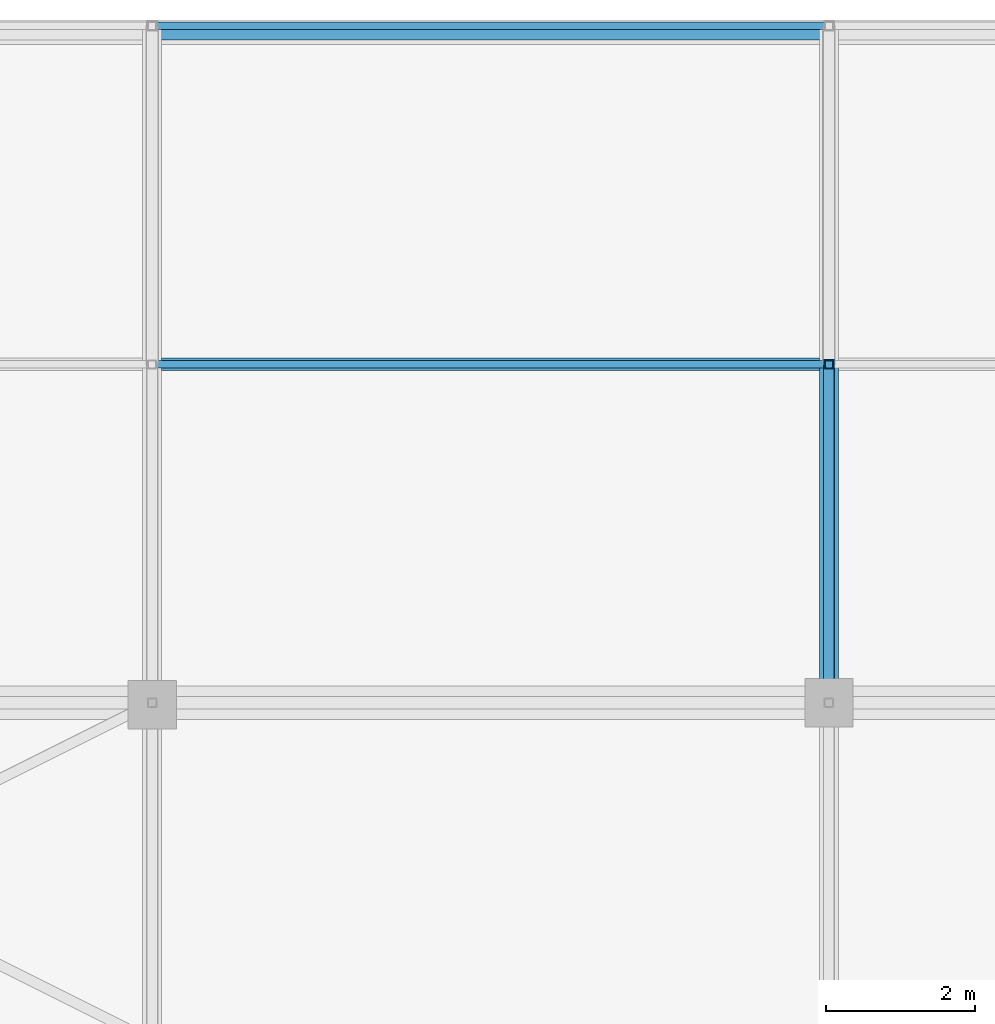
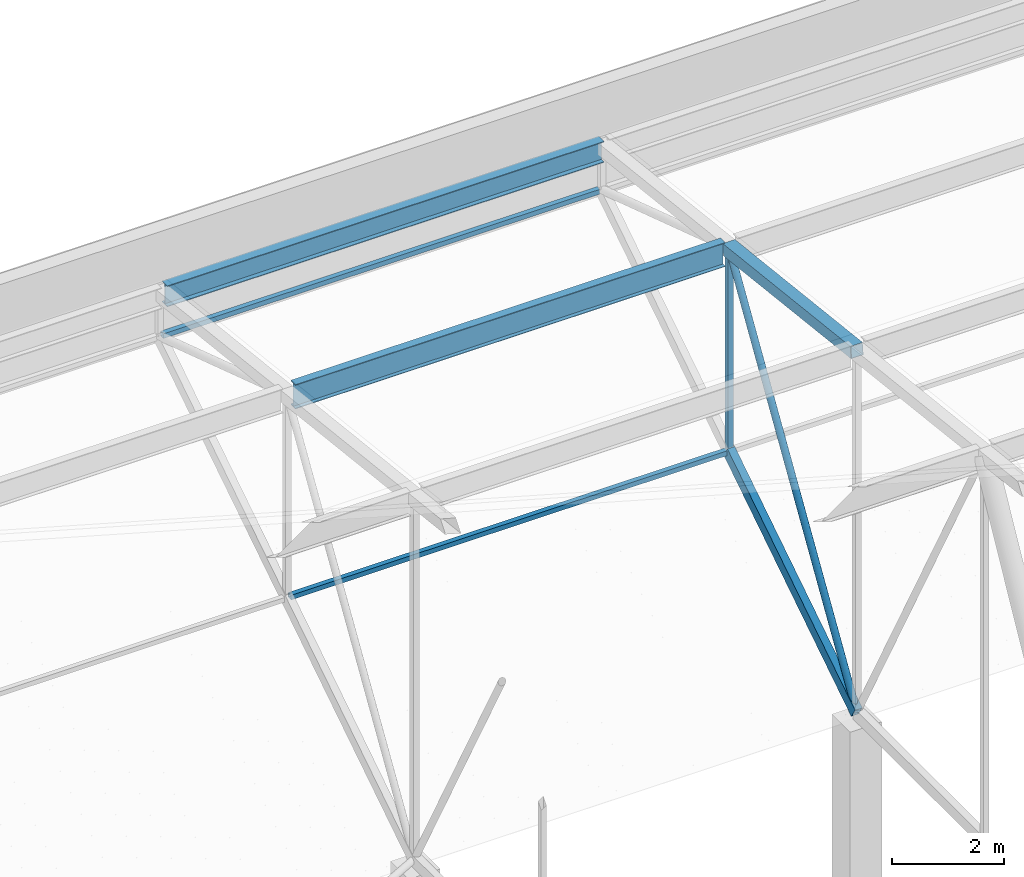
# One storey, part 305 of 500: 8 members.
"""IFC4 building model written with IfcOpenShell, lengths in metres."""

import ifcopenshell
import ifcopenshell.guid

model = None  # the IFC model being written
_history = None  # IfcOwnerHistory: only IFC2X3 demands one
_inside = {}  # id of a spatial element -> (the spatial element, [elements in it])
_under = {}  # id of a project, library or spatial element -> (it, [spatial elements below it])
_declared = {}  # id of a project -> (the project, [libraries it declares])
_typed = {}  # id of a type object -> (the type object, [elements of that type])
_made_of = {}  # id of a material, layer set ... -> (it, [elements and type objects made of it])


def new_model(schema):
    """Start an empty IFC model of exactly this schema.

    Asked for "IFC4X3", IfcOpenShell would pick the latest addendum, in which some entities
    have other attributes; the version numbers below select the first issue.
    IFC2X3 requires an IfcOwnerHistory on every rooted entity: one is made here for all.
    """
    global model, _history
    if schema == "IFC4X3":
        model = ifcopenshell.file(schema_version=(4, 3, 0, 0))
    else:
        model = ifcopenshell.file(schema=schema)
    _inside.clear()
    _under.clear()
    _declared.clear()
    _typed.clear()
    _made_of.clear()
    _history = None
    if model.schema == "IFC2X3":
        org = make("IfcOrganization", Name="unknown")
        user = make(
            "IfcPersonAndOrganization",
            ThePerson=make("IfcPerson", FamilyName="unknown"),
            TheOrganization=org,
        )
        app = make(
            "IfcApplication",
            ApplicationDeveloper=org,
            Version="unknown",
            ApplicationFullName="unknown",
            ApplicationIdentifier="unknown",
        )
        _history = make(
            "IfcOwnerHistory",
            OwningUser=user,
            OwningApplication=app,
            ChangeAction="ADDED",
            CreationDate=0,
        )
    return model


def make(cls, **values):
    """One entity of the class cls with the attributes given. An attribute that is None is left unset."""
    return model.create_entity(
        cls, **{name: value for name, value in values.items() if value is not None}
    )


def rooted(cls, **values):
    """An entity with a GlobalId (a new one), such as an element, a storey or a relation."""
    return make(cls, GlobalId=ifcopenshell.guid.new(), OwnerHistory=_history, **values)


def si_unit(unit_type, name, prefix=None):
    """IfcSIUnit, for example si_unit("LENGTHUNIT", "METRE", prefix="MILLI")."""
    return make("IfcSIUnit", UnitType=unit_type, Prefix=prefix, Name=name)


def assignment(units):
    """IfcUnitAssignment: the units of a project."""
    return None if units is None else make("IfcUnitAssignment", Units=units)


def point(xyz):
    """IfcCartesianPoint."""
    return None if xyz is None else make("IfcCartesianPoint", Coordinates=xyz)


def direction(xyz):
    """IfcDirection."""
    return None if xyz is None else make("IfcDirection", DirectionRatios=xyz)


def frame(location, z_axis=None, x_axis=None):
    """IfcAxis2Placement3D, a coordinate frame: its origin and axes. An axis left out is left unset."""
    return make(
        "IfcAxis2Placement3D",
        Location=point(location),
        Axis=direction(z_axis),
        RefDirection=direction(x_axis),
    )


def frame_2d(location, x_axis=None):
    """IfcAxis2Placement2D, a coordinate frame in the plane: its origin and x axis."""
    return make(
        "IfcAxis2Placement2D", Location=point(location), RefDirection=direction(x_axis)
    )


def origin():
    """The frame at (0, 0, 0) with its axes left unset."""
    return frame((0.0, 0.0, 0.0))


def origin_2d():
    """The frame at (0, 0) in the plane with its x axis left unset."""
    return frame_2d((0.0, 0.0))


def place(relative_to, where):
    """IfcLocalPlacement: puts the frame where relative to a parent placement (None: the world)."""
    return make(
        "IfcLocalPlacement", PlacementRelTo=relative_to, RelativePlacement=where
    )


def context(
    kind, dimensions, precision=None, world=None, true_north=None, identifier=None
):
    """IfcGeometricRepresentationContext, for example the 3D "Model" context."""
    return make(
        "IfcGeometricRepresentationContext",
        ContextIdentifier=identifier,
        ContextType=kind,
        CoordinateSpaceDimension=dimensions,
        Precision=precision,
        WorldCoordinateSystem=world,
        TrueNorth=true_north,
    )


def subcontext(parent, identifier, kind, view, scale=None):
    """IfcGeometricRepresentationSubContext, for example "Body" below "Model"."""
    return make(
        "IfcGeometricRepresentationSubContext",
        ContextIdentifier=identifier,
        ContextType=kind,
        ParentContext=parent,
        TargetScale=scale,
        TargetView=view,
    )


def project(units=None, contexts=None):
    """IfcProject with its units and contexts."""
    return rooted(
        "IfcProject",
        Name="project",
        RepresentationContexts=contexts,
        UnitsInContext=assignment(units),
    )


def spatial(cls, under=None, at=None, **own):
    """A site, building, storey or space (cls), placed at a placement, below another one or the project."""
    s = rooted(cls, ObjectPlacement=at, **own)
    if under is not None:
        _under.setdefault(under.id(), (under, []))[1].append(s)
    return s


def profile(cls, at=None, kind="AREA", **sizes):
    """A parametric profile (cls). Its sizes go by their IFC names, for example OverallWidth=200.0."""
    return make(cls, ProfileType=kind, Position=at, **sizes)


def hollow_rectangle(**sizes):
    """IfcRectangleHollowProfileDef."""
    return profile("IfcRectangleHollowProfileDef", **sizes)


def hollow_circle(**sizes):
    """IfcCircleHollowProfileDef."""
    return profile("IfcCircleHollowProfileDef", **sizes)


def i_section(**sizes):
    """IfcIShapeProfileDef."""
    return profile("IfcIShapeProfileDef", **sizes)


def extrude(swept, where, along, depth):
    """IfcExtrudedAreaSolid: the profile swept, set in the frame where, extruded along a direction by depth."""
    return make(
        "IfcExtrudedAreaSolid",
        SweptArea=swept,
        Position=where,
        ExtrudedDirection=direction(along),
        Depth=depth,
    )


def shape(context_of_items, identifier, shape_type, items):
    """IfcShapeRepresentation: the items that make up one representation, for example the "Body"."""
    return make(
        "IfcShapeRepresentation",
        ContextOfItems=context_of_items,
        RepresentationIdentifier=identifier,
        RepresentationType=shape_type,
        Items=items,
    )


def material(Name=None, Category=None):
    """IfcMaterial."""
    return make("IfcMaterial", Name=Name, Category=Category)


def material_profile(
    of_material, cross_section, Name=None, Category=None, Priority=None
):
    """IfcMaterialProfile: a cross section and its material."""
    return make(
        "IfcMaterialProfile",
        Name=Name,
        Material=of_material,
        Profile=cross_section,
        Priority=Priority,
        Category=Category,
    )


def profile_set(profiles, Name=None, composite=None):
    """IfcMaterialProfileSet."""
    return make(
        "IfcMaterialProfileSet",
        Name=Name,
        MaterialProfiles=profiles,
        CompositeProfile=composite,
    )


def made_of(thing, what):
    """Note that an element or type object is made of a material, layer set ...; save() writes the relation."""
    if what is not None:
        _made_of.setdefault(what.id(), (what, []))[1].append(thing)
    return thing


def type_object(cls, material=None, **own):
    """A type object (cls), such as IfcWallType, which elements share."""
    return made_of(rooted(cls, **own), material)


def element(
    cls,
    number,
    at=None,
    inside=None,
    cuts=None,
    type_object=None,
    material=None,
    context=None,
    identifier="Body",
    shape_type=None,
    held_by="IfcProductDefinitionShape",
    body=None,
    shapes=None,
    **own,
):
    """One element of the class cls, such as IfcWall. Its Tag is "e" and its number.

    at: its placement. inside: the storey or other place that contains it. cuts: it is an
    opening in that element (IfcRelVoidsElement). A single representation is given by context,
    identifier, shape_type and body (its items); several are given by shapes. held_by: the class
    of the entity that holds the representations. save() writes the other relations.
    """
    e = rooted(cls, Tag="e%d" % number, ObjectPlacement=at, **own)
    if body is not None:
        shapes = [shape(context, identifier, shape_type, body)]
    if shapes is not None:
        e.Representation = make(held_by, Representations=shapes)
    if inside is not None:
        _inside.setdefault(inside.id(), (inside, []))[1].append(e)
    if cuts is not None:
        rooted(
            "IfcRelVoidsElement", RelatingBuildingElement=cuts, RelatedOpeningElement=e
        )
    if type_object is not None:
        _typed.setdefault(type_object.id(), (type_object, []))[1].append(e)
    return made_of(e, material)


def aggregate(whole, parts):
    """IfcRelAggregates: a whole, such as a stair, and the parts it consists of."""
    return rooted("IfcRelAggregates", RelatingObject=whole, RelatedObjects=parts)


def save(model, path):
    """Write the relations noted so far, then the file.

    IfcRelAggregates (storeys below a building ...), IfcRelContainedInSpatialStructure (elements
    in a storey), IfcRelDefinesByType, IfcRelAssociatesMaterial and IfcRelDeclares: one each for
    every whole, place, type object, material and project.
    """
    for whole, parts in _under.values():
        aggregate(whole, parts)
    for where, things in _inside.values():
        rooted(
            "IfcRelContainedInSpatialStructure",
            RelatedElements=things,
            RelatingStructure=where,
        )
    for kind, things in _typed.values():
        rooted("IfcRelDefinesByType", RelatedObjects=things, RelatingType=kind)
    for what, things in _made_of.values():
        rooted("IfcRelAssociatesMaterial", RelatedObjects=things, RelatingMaterial=what)
    for by, libraries in _declared.values():
        rooted("IfcRelDeclares", RelatingContext=by, RelatedDefinitions=libraries)
    model.write(path)


model = new_model("IFC4")

# Units and contexts
model_context = context("Model", 3, precision=1e-05, world=origin(), true_north=direction((0.0, 1.0)))
body_context = subcontext(model_context, "Body", "Model", "MODEL_VIEW")
ifc_project = project(units=[si_unit("LENGTHUNIT", "METRE"), si_unit("AREAUNIT", "SQUARE_METRE"), si_unit("VOLUMEUNIT", "CUBIC_METRE"), si_unit("PLANEANGLEUNIT", "RADIAN"), si_unit("MASSUNIT", "GRAM", prefix="KILO")], contexts=[model_context])

# Site, building, storey
site_placement = place(None, origin())
site = spatial("IfcSite", under=ifc_project, at=site_placement, CompositionType="ELEMENT")
building_placement = place(site_placement, origin())
building = spatial("IfcBuilding", under=site, at=building_placement, Name="Shirokan Park Arena", CompositionType="ELEMENT")
storey_placement = place(building_placement, frame((0.0, 0.0, 29.1201171875)))
storey = spatial("IfcBuildingStorey", under=building, at=storey_placement, Name="L06", CompositionType="ELEMENT", Elevation=29.1201171875)

# Members
ifc_material_1 = material(Name="Steel ASTM A500 Grade C", Category="steel")
ifc_material_profile_1 = material_profile(ifc_material_1, hollow_rectangle(XDim=0.152099609375, YDim=0.25390625, WallThickness=0.009521484375, at=origin_2d()), Name="HSS254X152.4X9.5")
ifc_profile_set_1 = profile_set([ifc_material_profile_1], Name="Steel ASTM A500 Grade C")
member_type_1 = type_object("IfcMemberType", Name="Bottom chord HSS254X152.4X9.5", PredefinedType="CHORD", material=ifc_profile_set_1)
member_1_placement = place(storey_placement, frame((63.699951171875, 109.199951171875, 4.677001953125), z_axis=(0.0, 0.840971691661, 0.541079119746), x_axis=(-1.0, 0.0, 0.0)))
element("IfcMember", 1, at=member_1_placement, inside=storey, type_object=member_type_1, Name="Truss T08 bottom chord 27", PredefinedType="CHORD", context=body_context, shape_type="SweptSolid", body=[
    extrude(hollow_rectangle(XDim=0.152099609375, YDim=0.25390625, WallThickness=0.009521484375, at=origin_2d()), origin(), (0.0, 0.0, 1.0), 5.410400390625),
])
ifc_material_profile_2 = material_profile(ifc_material_1, hollow_rectangle(XDim=0.10205078125, YDim=0.10205078125, WallThickness=0.00634765625, at=origin_2d()), Name="HSS101.6X101.6X6.4")
ifc_profile_set_2 = profile_set([ifc_material_profile_2], Name="Steel ASTM A500 Grade C")
member_type_2 = type_object("IfcMemberType", Name="Eave soffit rail HSS101.6X101.6X6.4", PredefinedType="USERDEFINED", material=ifc_profile_set_2)
for number, where, z_axis, x_axis, name in (
    (2, (54.656982421875, 118.300048828125, 10.531982421875), (1.0, 0.0, 0.0), (0.0, 1.0, 0.0), "Eave soffit rail N 29 bay 7"),
    (3, (54.656982421875, 113.75, 7.6044921875), (1.0, 0.0, 0.0), (0.0, 1.0, 0.0), "Eave soffit rail N 28 bay 7"),
):
    element("IfcMember", number, at=place(storey_placement, frame(where, z_axis=z_axis, x_axis=x_axis)), inside=storey, type_object=member_type_2, Name=name, ObjectType="EAVE SOFFIT RAIL", PredefinedType="USERDEFINED", context=body_context, shape_type="SweptSolid", body=[
        extrude(hollow_rectangle(XDim=0.10205078125, YDim=0.10205078125, WallThickness=0.00634765625, at=origin_2d()), origin(), (0.0, 0.0, 1.0), 8.986083984375),
    ])
ifc_material_2 = material(Name="Steel ASTM A992", Category="steel")
ifc_material_profile_3 = material_profile(ifc_material_2, i_section(OverallWidth=0.166015625, OverallDepth=0.528076171875, WebThickness=0.009765625, FlangeThickness=0.013671875, at=origin_2d()), Name="W530X74")
ifc_profile_set_3 = profile_set([ifc_material_profile_3], Name="Steel ASTM A992")
member_type_3 = type_object("IfcMemberType", Name="Purlin W530X74", PredefinedType="PURLIN", material=ifc_profile_set_3)
member_2_placement = place(storey_placement, frame((54.72705078125, 113.75, 11.9658203125), z_axis=(1.0, 0.0, 0.0), x_axis=(0.0, 1.0, 0.0)))
element("IfcMember", 4, at=member_2_placement, inside=storey, type_object=member_type_3, Name="Purlin 28 bay 7", PredefinedType="PURLIN", context=body_context, shape_type="SweptSolid", body=[
    extrude(i_section(OverallWidth=0.166015625, OverallDepth=0.528076171875, WebThickness=0.009765625, FlangeThickness=0.013671875, at=origin_2d()), origin(), (0.0, 0.0, 1.0), 8.845947265625),
])
ifc_material_profile_4 = material_profile(ifc_material_2, i_section(OverallWidth=0.19091796875, OverallDepth=0.45703125, WebThickness=0.009033203125, FlangeThickness=0.014404296875, at=origin_2d()), Name="W460X74")
ifc_profile_set_4 = profile_set([ifc_material_profile_4], Name="Steel ASTM A992")
member_type_4 = type_object("IfcMemberType", Name="Roof edge beam W460X74", PredefinedType="USERDEFINED", material=ifc_profile_set_4)
member_3_placement = place(storey_placement, frame((54.656982421875, 118.20458984375, 11.4814453125), z_axis=(1.0, 0.0, 0.0), x_axis=(0.0, 1.0, 0.0)))
element("IfcMember", 5, at=member_3_placement, inside=storey, type_object=member_type_4, Name="Roof edge beam N 8", ObjectType="ROOF EDGE BEAM", PredefinedType="USERDEFINED", context=body_context, shape_type="SweptSolid", body=[
    extrude(i_section(OverallWidth=0.19091796875, OverallDepth=0.45703125, WebThickness=0.009033203125, FlangeThickness=0.014404296875, at=origin_2d()), origin(), (0.0, 0.0, 1.0), 8.986083984375),
])
ifc_material_profile_5 = material_profile(ifc_material_1, hollow_rectangle(XDim=0.25390625, YDim=0.25390625, WallThickness=0.009521484375, at=origin_2d()), Name="HSS254X254X9.5")
ifc_profile_set_5 = profile_set([ifc_material_profile_5], Name="Steel ASTM A500 Grade C")
member_type_5 = type_object("IfcMemberType", Name="Top chord HSS254X254X9.5", PredefinedType="CHORD", material=ifc_profile_set_5)
member_4_placement = place(storey_placement, frame((63.699951171875, 109.199951171875, 12.54150390625), z_axis=(0.0, 0.993532328996, -0.113549598152), x_axis=(-1.0, 0.0, 0.0)))
element("IfcMember", 6, at=member_4_placement, inside=storey, type_object=member_type_5, Name="Truss T08 top chord 27", PredefinedType="CHORD", context=body_context, shape_type="SweptSolid", body=[
    extrude(hollow_rectangle(XDim=0.25390625, YDim=0.25390625, WallThickness=0.009521484375, at=origin_2d()), origin(), (0.0, 0.0, 1.0), 4.57958984375),
])
ifc_material_profile_6 = material_profile(ifc_material_1, hollow_circle(Radius=0.070556640625, WallThickness=0.006591796875, at=origin_2d()), Name="HSS141.3X6.6")
ifc_profile_set_6 = profile_set([ifc_material_profile_6], Name="Steel ASTM A500 Grade C")
member_type_6 = type_object("IfcMemberType", Name="Truss diagonal HSS141.3X6.6", PredefinedType="BRACE", material=ifc_profile_set_6)
member_5_placement = place(storey_placement, frame((63.699951171875, 109.199951171875, 4.677001953125), z_axis=(0.0, 0.526644483383, 0.850085635758), x_axis=(-1.0, 0.0, 0.0)))
element("IfcMember", 7, at=member_5_placement, inside=storey, type_object=member_type_6, Name="Truss T08 diagonal 27", PredefinedType="BRACE", context=body_context, shape_type="SweptSolid", body=[
    extrude(hollow_circle(Radius=0.070556640625, WallThickness=0.006591796875, at=origin_2d()), origin(), (0.0, 0.0, 1.0), 8.6396484375),
])
ifc_material_profile_7 = material_profile(ifc_material_1, hollow_rectangle(XDim=0.114013671875, YDim=0.114013671875, WallThickness=0.00634765625, at=origin_2d()), Name="HSS114.3X114.3X6.4")
ifc_profile_set_7 = profile_set([ifc_material_profile_7], Name="Steel ASTM A500 Grade C")
member_type_7 = type_object("IfcMemberType", Name="Truss post HSS114.3X114.3X6.4", PredefinedType="POST", material=ifc_profile_set_7)
member_6_placement = place(storey_placement, frame((63.699951171875, 113.75, 7.6044921875), z_axis=(0.0, 0.0, 1.0), x_axis=(1.0, 0.0, 0.0)))
element("IfcMember", 8, at=member_6_placement, inside=storey, type_object=member_type_7, Name="Truss T08 post 28", PredefinedType="POST", context=body_context, shape_type="SweptSolid", body=[
    extrude(hollow_rectangle(XDim=0.114013671875, YDim=0.114013671875, WallThickness=0.00634765625, at=origin_2d()), origin(), (0.0, 0.0, 1.0), 4.4169921875),
])

save(model, "model.ifc")
